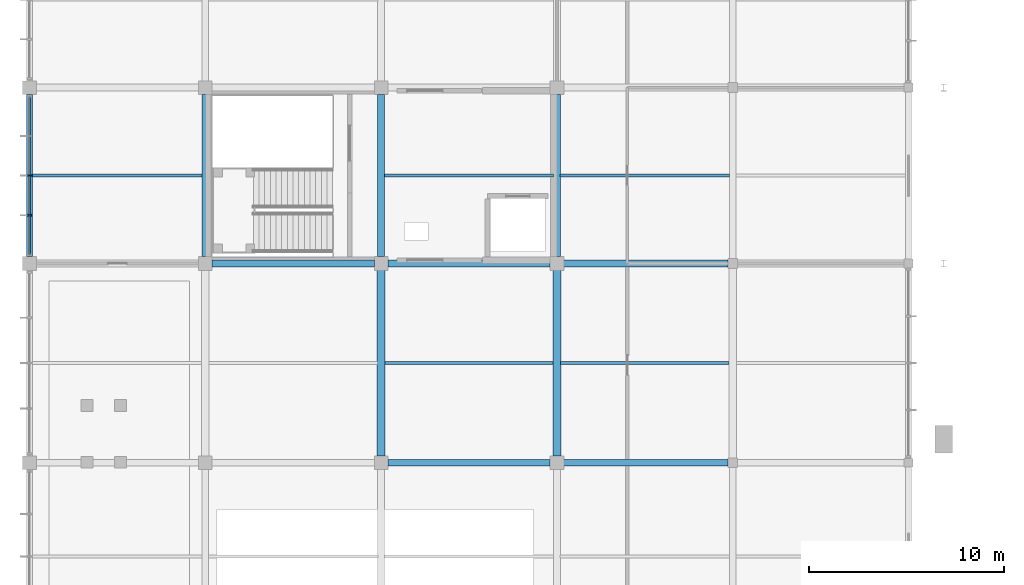
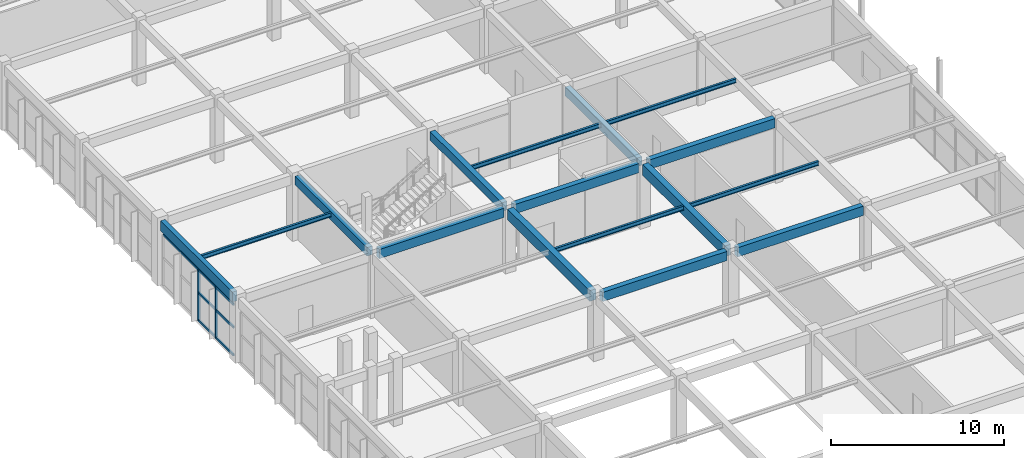
# One storey, part 16 of 74: 16 beams, 7 members, 1 element without a shape of its own.
"""IFC4 building model written with IfcOpenShell, lengths in metres."""

from ifc_helpers import new_model, si_unit, direction, frame, origin, origin_2d, place, context, subcontext, project, spatial, rectangle, i_section, extrude, material, material_profile, profile_set, type_object, element, aggregate, save


model = new_model("IFC4")

# Units and contexts
model_context = context("Model", 3, precision=1e-05, world=origin(), true_north=direction((0.0, 1.0)))
body_context = subcontext(model_context, "Body", "Model", "MODEL_VIEW")
ifc_project = project(units=[si_unit("LENGTHUNIT", "METRE"), si_unit("AREAUNIT", "SQUARE_METRE"), si_unit("VOLUMEUNIT", "CUBIC_METRE"), si_unit("PLANEANGLEUNIT", "RADIAN"), si_unit("MASSUNIT", "GRAM", prefix="KILO")], contexts=[model_context])

# Site, building, storey
site_placement = place(None, origin())
site = spatial("IfcSite", under=ifc_project, at=site_placement, CompositionType="ELEMENT")
building_placement = place(site_placement, origin())
building = spatial("IfcBuilding", under=site, at=building_placement, Name="Suirenkawa Promenade Aquatics Centre", CompositionType="ELEMENT")
storey_placement = place(building_placement, frame((0.0, 0.0, 4.800048828125)))
storey = spatial("IfcBuildingStorey", under=building, at=storey_placement, Name="L01", CompositionType="ELEMENT", Elevation=4.800048828125)

# Beams
ifc_material_1 = material(Name="Steel IS 2062 E350 (Grade 350)", Category="steel")
ifc_material_profile_1 = material_profile(ifc_material_1, i_section(OverallWidth=0.139892578125, OverallDepth=0.300048828125, WebThickness=0.008056640625, FlangeThickness=0.012939453125, at=origin_2d()), Name="ISMB 300", Category="steel")
ifc_profile_set_1 = profile_set([ifc_material_profile_1], Name="Steel IS 2062 E350 (Grade 350)")
beam_type_1 = type_object("IfcBeamType", Name="BT-JOIST-ISMB300", PredefinedType="JOIST", material=ifc_profile_set_1)
beam_1_placement = place(storey_placement, frame((0.14404296875, 63.89990234375, 4.387939453125), z_axis=(1.0, 0.0, 0.0), x_axis=(0.0, 1.0, 0.0)))
element("IfcBeam", 1, at=beam_1_placement, inside=storey, type_object=beam_type_1, Name="Secondary floor joist JS-02 BM-0526", PredefinedType="JOIST", context=body_context, shape_type="SweptSolid", body=[
    extrude(i_section(OverallWidth=0.139892578125, OverallDepth=0.300048828125, WebThickness=0.008056640625, FlangeThickness=0.012939453125, at=origin_2d()), origin(), (0.0, 0.0, 1.0), 8.68701171875),
])
beam_2_placement = place(storey_placement, frame((18.194091796875, 54.300048828125, 4.387939453125), z_axis=(1.0, 0.0, 0.0), x_axis=(0.0, 1.0, 0.0)))
element("IfcBeam", 2, at=beam_2_placement, inside=storey, type_object=beam_type_1, Name="Secondary floor joist JS-02 BM-0547", PredefinedType="JOIST", context=body_context, shape_type="SweptSolid", body=[
    extrude(i_section(OverallWidth=0.139892578125, OverallDepth=0.300048828125, WebThickness=0.008056640625, FlangeThickness=0.012939453125, at=origin_2d()), origin(), (0.0, 0.0, 1.0), 8.61181640625),
])
beam_3_placement = place(storey_placement, frame((18.1689453125, 63.89990234375, 4.387939453125), z_axis=(1.0, 0.0, 0.0), x_axis=(0.0, 1.0, 0.0)))
element("IfcBeam", 3, at=beam_3_placement, inside=storey, type_object=beam_type_1, Name="Secondary floor joist JS-02 BM-0548", PredefinedType="JOIST", context=body_context, shape_type="SweptSolid", body=[
    extrude(i_section(OverallWidth=0.139892578125, OverallDepth=0.300048828125, WebThickness=0.008056640625, FlangeThickness=0.012939453125, at=origin_2d()), origin(), (0.0, 0.0, 1.0), 8.662109375),
])
beam_4_placement = place(storey_placement, frame((27.194091796875, 54.300048828125, 4.387939453125), z_axis=(1.0, 0.0, 0.0), x_axis=(0.0, 1.0, 0.0)))
element("IfcBeam", 4, at=beam_4_placement, inside=storey, type_object=beam_type_1, Name="Secondary floor joist JS-02 BM-0559", PredefinedType="JOIST", context=body_context, shape_type="SweptSolid", body=[
    extrude(i_section(OverallWidth=0.139892578125, OverallDepth=0.300048828125, WebThickness=0.008056640625, FlangeThickness=0.012939453125, at=origin_2d()), origin(), (0.0, 0.0, 1.0), 8.61181640625),
])
beam_5_placement = place(storey_placement, frame((27.1689453125, 63.89990234375, 4.387939453125), z_axis=(1.0, 0.0, 0.0), x_axis=(0.0, 1.0, 0.0)))
element("IfcBeam", 5, at=beam_5_placement, inside=storey, type_object=beam_type_1, Name="Secondary floor joist JS-02 BM-0560", PredefinedType="JOIST", context=body_context, shape_type="SweptSolid", body=[
    extrude(i_section(OverallWidth=0.139892578125, OverallDepth=0.300048828125, WebThickness=0.008056640625, FlangeThickness=0.012939453125, at=origin_2d()), origin(), (0.0, 0.0, 1.0), 8.662109375),
])
ifc_material_2 = material(Name="Concrete M35", Category="concrete")
ifc_material_profile_2 = material_profile(ifc_material_2, rectangle(XDim=0.35009765625, YDim=0.60009765625, at=origin_2d()), Name="RC BM 350x600", Category="concrete")
ifc_profile_set_2 = profile_set([ifc_material_profile_2], Name="Concrete M35")
beam_type_2 = type_object("IfcBeamType", Name="BT-RC-350x600", PredefinedType="BEAM", material=ifc_profile_set_2)
for number, where, z_axis, x_axis, name in (
    (6, (9.0, 59.743896484375, 4.239990234375), (0.0, 1.0, 0.0), (-1.0, 0.0, 0.0), "Floor beam BM-02 BM-0468"),
    (7, (18.0, 59.743896484375, 4.239990234375), (0.0, 1.0, 0.0), (-1.0, 0.0, 0.0), "Floor beam BM-02 BM-0480"),
    (8, (27.0, 59.743896484375, 4.239990234375), (0.0, 1.0, 0.0), (-1.0, 0.0, 0.0), "Floor beam BM-02 BM-0492"),
):
    element("IfcBeam", number, at=place(storey_placement, frame(where, z_axis=z_axis, x_axis=x_axis)), inside=storey, type_object=beam_type_2, Name=name, PredefinedType="BEAM", context=body_context, shape_type="SweptSolid", body=[
        extrude(rectangle(XDim=0.35009765625, YDim=0.60009765625, at=origin_2d()), origin(), (0.0, 0.0, 1.0), 8.31201171875),
    ])
ifc_material_profile_3 = material_profile(ifc_material_2, rectangle(XDim=0.35009765625, YDim=0.64990234375, at=origin_2d()), Name="RC BM 350x650", Category="concrete")
ifc_profile_set_3 = profile_set([ifc_material_profile_3], Name="Concrete M35")
beam_type_3 = type_object("IfcBeamType", Name="BT-RC-350x650", PredefinedType="BEAM", material=ifc_profile_set_3)
beam_6_placement = place(storey_placement, frame((18.343994140625, 49.199951171875, 4.21484375), z_axis=(1.0, 0.0, 0.0), x_axis=(0.0, 1.0, 0.0)))
element("IfcBeam", 9, at=beam_6_placement, inside=storey, type_object=beam_type_3, Name="Floor beam BM-03 BM-0412", PredefinedType="BEAM", context=body_context, shape_type="SweptSolid", body=[
    extrude(rectangle(XDim=0.35009765625, YDim=0.64990234375, at=origin_2d()), origin(), (0.0, 0.0, 1.0), 8.31201171875),
])
beam_7_placement = place(storey_placement, frame((27.343994140625, 49.199951171875, 4.21484375), z_axis=(1.0, 0.0, 0.0), x_axis=(0.0, 1.0, 0.0)))
element("IfcBeam", 10, at=beam_7_placement, inside=storey, type_object=beam_type_3, Name="Floor beam BM-03 BM-0413", PredefinedType="BEAM", context=body_context, shape_type="SweptSolid", body=[
    extrude(rectangle(XDim=0.35009765625, YDim=0.64990234375, at=origin_2d()), origin(), (0.0, 0.0, 1.0), 8.412109375),
])
for number, where, z_axis, x_axis, name in (
    (11, (9.343994140625, 59.39990234375, 4.21484375), (1.0, 0.0, 0.0), (0.0, 1.0, 0.0), "Floor beam BM-03 BM-0416"),
    (12, (18.343994140625, 59.39990234375, 4.21484375), (1.0, 0.0, 0.0), (0.0, 1.0, 0.0), "Floor beam BM-03 BM-0417"),
):
    element("IfcBeam", number, at=place(storey_placement, frame(where, z_axis=z_axis, x_axis=x_axis)), inside=storey, type_object=beam_type_3, Name=name, PredefinedType="BEAM", context=body_context, shape_type="SweptSolid", body=[
        extrude(rectangle(XDim=0.35009765625, YDim=0.64990234375, at=origin_2d()), origin(), (0.0, 0.0, 1.0), 8.31201171875),
    ])
beam_8_placement = place(storey_placement, frame((27.343994140625, 59.39990234375, 4.21484375), z_axis=(1.0, 0.0, 0.0), x_axis=(0.0, 1.0, 0.0)))
element("IfcBeam", 13, at=beam_8_placement, inside=storey, type_object=beam_type_3, Name="Floor beam BM-03 BM-0418", PredefinedType="BEAM", context=body_context, shape_type="SweptSolid", body=[
    extrude(rectangle(XDim=0.35009765625, YDim=0.64990234375, at=origin_2d()), origin(), (0.0, 0.0, 1.0), 8.412109375),
])
ifc_material_3 = material(Name="Concrete M40", Category="concrete")
ifc_material_profile_4 = material_profile(ifc_material_3, rectangle(XDim=0.39990234375, YDim=0.75, at=origin_2d()), Name="RC BM 400x750", Category="concrete")
ifc_profile_set_4 = profile_set([ifc_material_profile_4], Name="Concrete M40")
beam_type_4 = type_object("IfcBeamType", Name="BT-RC-400x750", PredefinedType="BEAM", material=ifc_profile_set_4)
for number, where, z_axis, x_axis, name in (
    (14, (18.0, 49.5439453125, 4.1650390625), (0.0, 1.0, 0.0), (-1.0, 0.0, 0.0), "Floor beam BM-05 BM-0479"),
    (15, (27.0, 49.5439453125, 4.1650390625), (0.0, 1.0, 0.0), (-1.0, 0.0, 0.0), "Floor beam BM-05 BM-0491"),
):
    element("IfcBeam", number, at=place(storey_placement, frame(where, z_axis=z_axis, x_axis=x_axis)), inside=storey, type_object=beam_type_4, Name=name, PredefinedType="BEAM", context=body_context, shape_type="SweptSolid", body=[
        extrude(rectangle(XDim=0.39990234375, YDim=0.75, at=origin_2d()), origin(), (0.0, 0.0, 1.0), 9.511962890625),
    ])
ifc_material_profile_5 = material_profile(ifc_material_3, rectangle(XDim=0.300048828125, YDim=0.699951171875, at=origin_2d()), Name="RC SPANDREL 300x700", Category="concrete")
ifc_profile_set_5 = profile_set([ifc_material_profile_5], Name="Concrete M40")
beam_type_5 = type_object("IfcBeamType", Name="BT-SPANDREL-300x700", PredefinedType="SPANDREL", material=ifc_profile_set_5)
beam_9_placement = place(storey_placement, frame((0.0, 59.743896484375, 4.18994140625), z_axis=(0.0, 1.0, 0.0), x_axis=(-1.0, 0.0, 0.0)))
element("IfcBeam", 16, at=beam_9_placement, inside=storey, type_object=beam_type_5, Name="Floor beam SP-01 BM-0456", PredefinedType="SPANDREL", context=body_context, shape_type="SweptSolid", body=[
    extrude(rectangle(XDim=0.300048828125, YDim=0.699951171875, at=origin_2d()), origin(), (0.0, 0.0, 1.0), 8.31201171875),
])

# Curtain wall, members
ifc_material_4 = material(Name="Anodised aluminium 6063-T6", Category="aluminium")
curtain_wall_type = type_object("IfcCurtainWallType", Name="CWAT-V5WL01-49", PredefinedType="NOTDEFINED", material=ifc_material_4)
curtain_wall_placement = place(storey_placement, origin())
curtain_wall = element("IfcCurtainWall", 17, at=curtain_wall_placement, inside=storey, type_object=curtain_wall_type, Name="Curtain wall CWA-49 CW-104", PredefinedType="NOTDEFINED")
ifc_material_profile_6 = material_profile(ifc_material_4, rectangle(XDim=0.094970703125, YDim=0.18994140625, at=origin_2d()), Name="ALU MULL 95x190", Category="aluminium")
ifc_profile_set_6 = profile_set([ifc_material_profile_6], Name="Anodised aluminium 6063-T6")
member_type_1 = type_object("IfcMemberType", Name="CWM-190x95", PredefinedType="MULLION", material=ifc_profile_set_6)
member_1_placement = place(storey_placement, frame((0.0, 61.87451171875, 0.0), z_axis=(0.0, 0.0, 1.0), x_axis=(0.0, 1.0, 0.0)))
member_1 = element("IfcMember", 18, at=member_1_placement, type_object=member_type_1, Name="Mullion ML-02 CWM-02078", PredefinedType="MULLION", context=body_context, shape_type="SweptSolid", body=[
    extrude(rectangle(XDim=0.094970703125, YDim=0.18994140625, at=origin_2d()), origin(), (0.0, 0.0, 1.0), 3.570068359375),
])
member_2_placement = place(storey_placement, frame((0.0, 63.89990234375, 0.0), z_axis=(0.0, 0.0, 1.0), x_axis=(0.0, 1.0, 0.0)))
member_2 = element("IfcMember", 19, at=member_2_placement, type_object=member_type_1, Name="Mullion ML-02 CWM-02079", PredefinedType="MULLION", context=body_context, shape_type="SweptSolid", body=[
    extrude(rectangle(XDim=0.094970703125, YDim=0.18994140625, at=origin_2d()), origin(), (0.0, 0.0, 1.0), 3.570068359375),
])
ifc_material_profile_7 = material_profile(ifc_material_4, rectangle(XDim=0.094970703125, YDim=0.14990234375, at=origin_2d()), Name="ALU TRAN 95x150", Category="aluminium")
ifc_profile_set_7 = profile_set([ifc_material_profile_7], Name="Anodised aluminium 6063-T6")
member_type_2 = type_object("IfcMemberType", Name="CWT-150x95", PredefinedType="USERDEFINED", material=ifc_profile_set_7)
member_3_placement = place(storey_placement, frame((0.0, 59.84912109375, 0.0), z_axis=(0.0, 1.0, 0.0), x_axis=(-1.0, 0.0, 0.0)))
member_3 = element("IfcMember", 20, at=member_3_placement, type_object=member_type_2, Name="Transom TR-02 CWT-02082", ObjectType="TRANSOM", PredefinedType="USERDEFINED", context=body_context, shape_type="SweptSolid", body=[
    extrude(rectangle(XDim=0.094970703125, YDim=0.14990234375, at=origin_2d()), origin(), (0.0, 0.0, 1.0), 2.025390625),
])
member_4_placement = place(storey_placement, frame((0.0, 61.87451171875, 0.0), z_axis=(0.0, 1.0, 0.0), x_axis=(-1.0, 0.0, 0.0)))
member_4 = element("IfcMember", 21, at=member_4_placement, type_object=member_type_2, Name="Transom TR-02 CWT-02083", ObjectType="TRANSOM", PredefinedType="USERDEFINED", context=body_context, shape_type="SweptSolid", body=[
    extrude(rectangle(XDim=0.094970703125, YDim=0.14990234375, at=origin_2d()), origin(), (0.0, 0.0, 1.0), 2.025390625),
])
member_5_placement = place(storey_placement, frame((0.0, 59.84912109375, 1.949951171875), z_axis=(0.0, 1.0, 0.0), x_axis=(-1.0, 0.0, 0.0)))
member_5 = element("IfcMember", 22, at=member_5_placement, type_object=member_type_2, Name="Transom TR-02 CWT-02086", ObjectType="TRANSOM", PredefinedType="USERDEFINED", context=body_context, shape_type="SweptSolid", body=[
    extrude(rectangle(XDim=0.094970703125, YDim=0.14990234375, at=origin_2d()), origin(), (0.0, 0.0, 1.0), 2.025390625),
])
member_6_placement = place(storey_placement, frame((0.0, 61.87451171875, 1.949951171875), z_axis=(0.0, 1.0, 0.0), x_axis=(-1.0, 0.0, 0.0)))
member_6 = element("IfcMember", 23, at=member_6_placement, type_object=member_type_2, Name="Transom TR-02 CWT-02087", ObjectType="TRANSOM", PredefinedType="USERDEFINED", context=body_context, shape_type="SweptSolid", body=[
    extrude(rectangle(XDim=0.094970703125, YDim=0.14990234375, at=origin_2d()), origin(), (0.0, 0.0, 1.0), 2.025390625),
])
member_7_placement = place(storey_placement, frame((0.0, 59.84912109375, 3.570068359375), z_axis=(0.0, 1.0, 0.0), x_axis=(-1.0, 0.0, 0.0)))
member_7 = element("IfcMember", 24, at=member_7_placement, type_object=member_type_2, Name="Roofline transom TR-02 CWT-02090", ObjectType="TRANSOM", PredefinedType="USERDEFINED", context=body_context, shape_type="SweptSolid", body=[
    extrude(rectangle(XDim=0.094970703125, YDim=0.14990234375, at=origin_2d()), origin(), (0.0, 0.0, 1.0), 8.101806640625),
])
aggregate(curtain_wall, [member_1, member_2, member_3, member_4, member_5, member_6, member_7])

save(model, "model.ifc")
